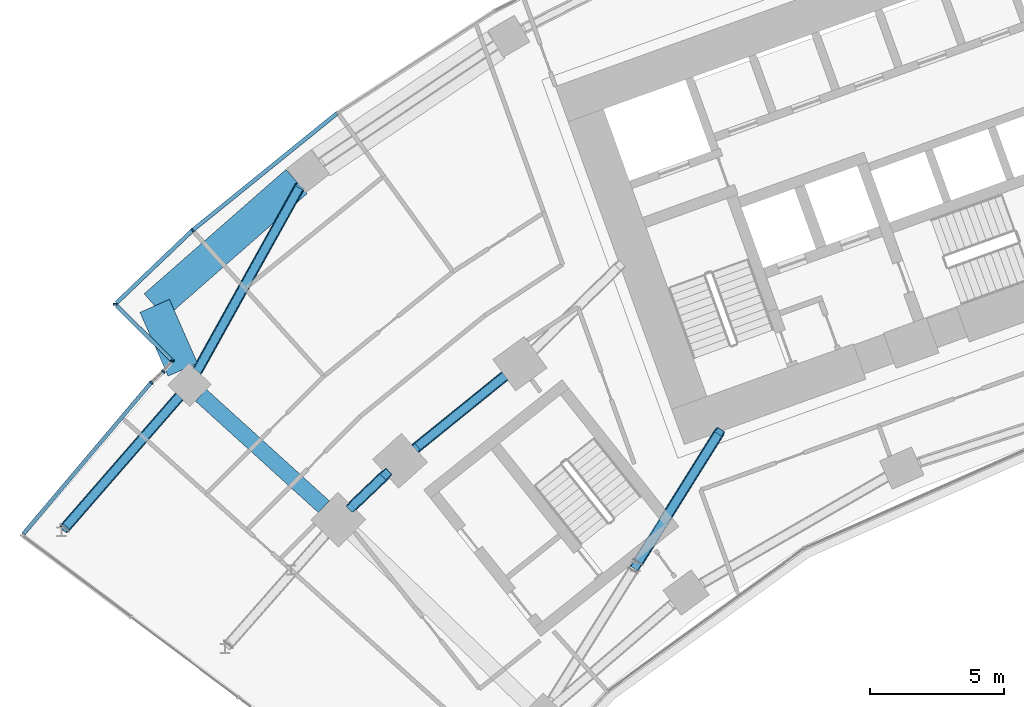
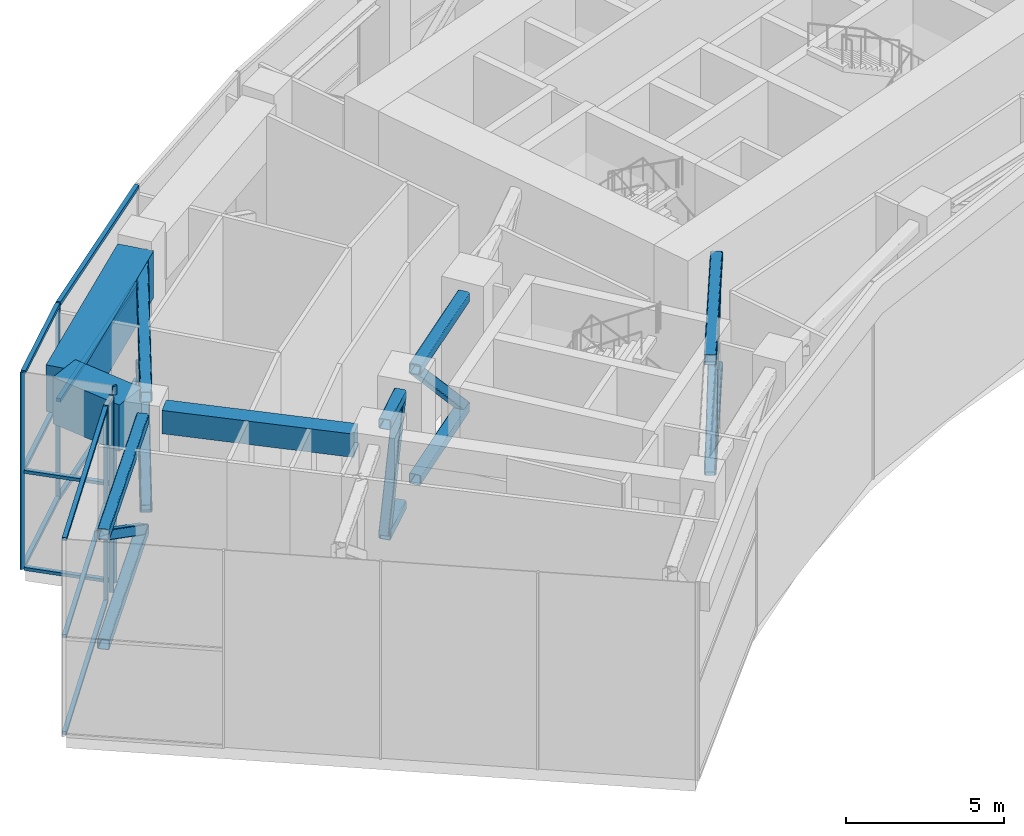
# One storey, part 4 of 30: 31 members, 3 beams, 5 elements without a shape of their own.
"""IFC4 building model written with IfcOpenShell, lengths in metres."""

from ifc_helpers import new_model, si_unit, direction, frame, origin, origin_2d, place, context, subcontext, project, spatial, rectangle, hollow_rectangle, extrude, material, layer, layer_set, material_profile, profile_set, type_object, element, aggregate, save


model = new_model("IFC4")

# Units and contexts
model_context = context("Model", 3, precision=1e-05, world=origin(), true_north=direction((0.0, 1.0)))
body_context = subcontext(model_context, "Body", "Model", "MODEL_VIEW")
ifc_project = project(units=[si_unit("LENGTHUNIT", "METRE"), si_unit("AREAUNIT", "SQUARE_METRE"), si_unit("VOLUMEUNIT", "CUBIC_METRE"), si_unit("PLANEANGLEUNIT", "RADIAN"), si_unit("MASSUNIT", "GRAM", prefix="KILO")], contexts=[model_context])

# Site, building, storey
site_placement = place(None, origin())
site = spatial("IfcSite", under=ifc_project, at=site_placement, CompositionType="ELEMENT")
building_placement = place(site_placement, origin())
building = spatial("IfcBuilding", under=site, at=building_placement, Name="Stone Belt Terrace Tower", CompositionType="ELEMENT")
storey_placement = place(building_placement, frame((0.0, 0.0, 136.39990234375)))
storey = spatial("IfcBuildingStorey", under=building, at=storey_placement, Name="L33", CompositionType="ELEMENT", Elevation=136.39990234375)

# Curtain wall, members
ifc_material_1 = material(Name="Aluminium 6063-T6 anodised frame", Category="aluminium")
ifc_layer_1 = layer(ifc_material_1, 0.14990234375)
ifc_layer_set_1 = layer_set([ifc_layer_1], Name="CW-A unitised convex-face curtain wall")
curtain_wall_type_1 = type_object("IfcCurtainWallType", Name="CW-A unitised convex-face curtain wall", PredefinedType="NOTDEFINED", material=ifc_layer_set_1)
curtain_wall_1_placement = place(storey_placement, origin())
curtain_wall_1 = element("IfcCurtainWall", 1, at=curtain_wall_1_placement, inside=storey, type_object=curtain_wall_type_1, Name="CW-A convex face L33", PredefinedType="NOTDEFINED")
ifc_material_profile_1 = material_profile(ifc_material_1, rectangle(XDim=0.14990234375, YDim=0.06005859375, at=origin_2d()), Name="Aluminium 6063-T6 60x150")
ifc_profile_set_1 = profile_set([ifc_material_profile_1], Name="Aluminium 6063-T6 anodised frame")
member_type_1 = type_object("IfcMemberType", Name="CW-A mullion 60 x 150", PredefinedType="MULLION", material=ifc_profile_set_1)
member_1_placement = place(storey_placement, frame((-44.546875, 49.4755859375, 0.0), z_axis=(0.0, 0.0, 1.0), x_axis=(0.660573481499, -0.75076139721, 0.0)))
member_1 = element("IfcMember", 2, at=member_1_placement, type_object=member_type_1, Name="CW-A mullion 17", PredefinedType="MULLION", context=body_context, shape_type="SweptSolid", body=[
    extrude(rectangle(XDim=0.14990234375, YDim=0.06005859375, at=origin_2d()), origin(), (0.0, 0.0, 1.0), 7.60009765625),
])
ifc_material_profile_2 = material_profile(ifc_material_1, rectangle(XDim=0.14990234375, YDim=0.139892578125, at=origin_2d()), Name="Aluminium 6063-T6 150x140")
ifc_profile_set_2 = profile_set([ifc_material_profile_2], Name="Aluminium 6063-T6 anodised frame")
member_type_2 = type_object("IfcMemberType", Name="CW-A transom 140 x 150", PredefinedType="USERDEFINED", material=ifc_profile_set_2)
member_2_placement = place(storey_placement, frame((-39.158203125, 53.839111328125, 0.070068359375), z_axis=(-0.777141048626, -0.629326457842, 0.0), x_axis=(0.629326457842, -0.777141048626, 0.0)))
member_2 = element("IfcMember", 3, at=member_2_placement, type_object=member_type_2, Name="CW-A transom 16.1", ObjectType="TRANSOM", PredefinedType="USERDEFINED", context=body_context, shape_type="SweptSolid", body=[
    extrude(rectangle(XDim=0.14990234375, YDim=0.139892578125, at=origin_2d()), origin(), (0.0, 0.0, 1.0), 6.900634765625),
])
member_3_placement = place(storey_placement, frame((-39.158203125, 53.839111328125, 3.800048828125), z_axis=(-0.777141048626, -0.629326457842, 0.0), x_axis=(0.629326457842, -0.777141048626, 0.0)))
member_3 = element("IfcMember", 4, at=member_3_placement, type_object=member_type_2, Name="CW-A transom 16.2", ObjectType="TRANSOM", PredefinedType="USERDEFINED", context=body_context, shape_type="SweptSolid", body=[
    extrude(rectangle(XDim=0.14990234375, YDim=0.139892578125, at=origin_2d()), origin(), (0.0, 0.0, 1.0), 6.900634765625),
])
member_4_placement = place(storey_placement, frame((-39.158203125, 53.839111328125, 7.530029296875), z_axis=(-0.777141048626, -0.629326457842, 0.0), x_axis=(0.629326457842, -0.777141048626, 0.0)))
member_4 = element("IfcMember", 5, at=member_4_placement, type_object=member_type_2, Name="CW-A transom 16.3", ObjectType="TRANSOM", PredefinedType="USERDEFINED", context=body_context, shape_type="SweptSolid", body=[
    extrude(rectangle(XDim=0.14990234375, YDim=0.139892578125, at=origin_2d()), origin(), (0.0, 0.0, 1.0), 6.900634765625),
])
member_5_placement = place(storey_placement, frame((-44.570556640625, 49.45263671875, 0.070068359375), z_axis=(-0.723150258233, -0.690690744124, 0.0), x_axis=(0.690690744124, -0.723150258233, 0.0)))
member_5 = element("IfcMember", 6, at=member_5_placement, type_object=member_type_2, Name="CW-A transom 17.1", ObjectType="TRANSOM", PredefinedType="USERDEFINED", context=body_context, shape_type="SweptSolid", body=[
    extrude(rectangle(XDim=0.14990234375, YDim=0.139892578125, at=origin_2d()), origin(), (0.0, 0.0, 1.0), 3.888671875),
])
member_6_placement = place(storey_placement, frame((-44.570556640625, 49.45263671875, 3.800048828125), z_axis=(-0.723150258233, -0.690690744124, 0.0), x_axis=(0.690690744124, -0.723150258233, 0.0)))
member_6 = element("IfcMember", 7, at=member_6_placement, type_object=member_type_2, Name="CW-A transom 17.2", ObjectType="TRANSOM", PredefinedType="USERDEFINED", context=body_context, shape_type="SweptSolid", body=[
    extrude(rectangle(XDim=0.14990234375, YDim=0.139892578125, at=origin_2d()), origin(), (0.0, 0.0, 1.0), 3.888671875),
])
member_7_placement = place(storey_placement, frame((-44.570556640625, 49.45263671875, 7.530029296875), z_axis=(-0.723150258233, -0.690690744124, 0.0), x_axis=(0.690690744124, -0.723150258233, 0.0)))
member_7 = element("IfcMember", 8, at=member_7_placement, type_object=member_type_2, Name="CW-A transom 17.3", ObjectType="TRANSOM", PredefinedType="USERDEFINED", context=body_context, shape_type="SweptSolid", body=[
    extrude(rectangle(XDim=0.14990234375, YDim=0.139892578125, at=origin_2d()), origin(), (0.0, 0.0, 1.0), 3.888671875),
])
aggregate(curtain_wall_1, [member_1, member_2, member_3, member_4, member_5, member_6, member_7])

# Curtain wall, member
ifc_layer_2 = layer(ifc_material_1, 0.14990234375)
ifc_layer_set_2 = layer_set([ifc_layer_2], Name="CW-C stick curtain wall, horn ends and notches")
curtain_wall_type_2 = type_object("IfcCurtainWallType", Name="CW-C stick curtain wall, horn ends and notches", PredefinedType="NOTDEFINED", material=ifc_layer_set_2)
curtain_wall_2_placement = place(storey_placement, origin())
curtain_wall_2 = element("IfcCurtainWall", 9, at=curtain_wall_2_placement, inside=storey, type_object=curtain_wall_type_2, Name="CW-C notch face L33", PredefinedType="NOTDEFINED")
ifc_material_profile_3 = material_profile(ifc_material_1, rectangle(XDim=0.14990234375, YDim=0.06005859375, at=origin_2d()), Name="Aluminium 6063-T6 60x150")
ifc_profile_set_3 = profile_set([ifc_material_profile_3], Name="Aluminium 6063-T6 anodised frame")
member_type_3 = type_object("IfcMemberType", Name="CW-C mullion 60 x 150", PredefinedType="MULLION", material=ifc_profile_set_3)
member_8_placement = place(storey_placement, frame((-47.4365234375, 46.715087890625, 0.0), z_axis=(0.0, 0.0, 1.0), x_axis=(0.999966480105, -0.008187714406, 0.0)))
member_8 = element("IfcMember", 10, at=member_8_placement, type_object=member_type_3, Name="CW-C mullion 1", PredefinedType="MULLION", context=body_context, shape_type="SweptSolid", body=[
    extrude(rectangle(XDim=0.14990234375, YDim=0.06005859375, at=origin_2d()), origin(), (0.0, 0.0, 1.0), 7.60009765625),
])

curtain_wall_3_placement = place(storey_placement, origin())
curtain_wall_3 = element("IfcCurtainWall", 11, at=curtain_wall_3_placement, inside=storey, type_object=curtain_wall_type_2, Name="CW-C end face L33", PredefinedType="NOTDEFINED")
member_9_placement = place(storey_placement, frame((-45.29638671875, 44.602783203125, 0.0), z_axis=(0.0, 0.0, 1.0), x_axis=(0.999185209744, 0.040359839301, 0.0)))
member_9 = element("IfcMember", 12, at=member_9_placement, type_object=member_type_3, Name="CW-C mullion 1", PredefinedType="MULLION", context=body_context, shape_type="SweptSolid", body=[
    extrude(rectangle(XDim=0.14990234375, YDim=0.06005859375, at=origin_2d()), origin(), (0.0, 0.0, 1.0), 7.60009765625),
])
aggregate(curtain_wall_3, [member_9])

curtain_wall_4_placement = place(storey_placement, origin())
curtain_wall_4 = element("IfcCurtainWall", 13, at=curtain_wall_4_placement, inside=storey, type_object=curtain_wall_type_2, Name="CW-C end face L33", PredefinedType="NOTDEFINED")
member_10_placement = place(storey_placement, frame((-45.6416015625, 44.201904296875, 0.0), z_axis=(0.0, 0.0, 1.0), x_axis=(0.718345898679, -0.695686114459, 0.0)))
member_10 = element("IfcMember", 14, at=member_10_placement, type_object=member_type_3, Name="CW-C mullion 1", PredefinedType="MULLION", context=body_context, shape_type="SweptSolid", body=[
    extrude(rectangle(XDim=0.14990234375, YDim=0.06005859375, at=origin_2d()), origin(), (0.0, 0.0, 1.0), 7.60009765625),
])
aggregate(curtain_wall_4, [member_10])

curtain_wall_5_placement = place(storey_placement, origin())
curtain_wall_5 = element("IfcCurtainWall", 15, at=curtain_wall_5_placement, inside=storey, type_object=curtain_wall_type_2, Name="CW-C notch face L33", PredefinedType="NOTDEFINED")
member_11_placement = place(storey_placement, frame((-46.086181640625, 43.79345703125, 0.0), z_axis=(0.0, 0.0, 1.0), x_axis=(0.721637914519, -0.692270698736, 0.0)))
member_11 = element("IfcMember", 16, at=member_11_placement, type_object=member_type_3, Name="CW-C mullion 1", PredefinedType="MULLION", context=body_context, shape_type="SweptSolid", body=[
    extrude(rectangle(XDim=0.14990234375, YDim=0.06005859375, at=origin_2d()), origin(), (0.0, 0.0, 1.0), 7.60009765625),
])

# Member
ifc_material_profile_4 = material_profile(ifc_material_1, rectangle(XDim=0.14990234375, YDim=0.1201171875, at=origin_2d()), Name="Aluminium 6063-T6 150x120")
ifc_profile_set_4 = profile_set([ifc_material_profile_4], Name="Aluminium 6063-T6 anodised frame")
member_type_4 = type_object("IfcMemberType", Name="CW-C transom 120 x 150", PredefinedType="USERDEFINED", material=ifc_profile_set_4)
member_12_placement = place(storey_placement, frame((-47.383544921875, 46.66259765625, 0.06005859375), z_axis=(0.711744791626, -0.702438147877, 0.0), x_axis=(0.702438147877, 0.711744791626, 0.0)))
member_12 = element("IfcMember", 17, at=member_12_placement, type_object=member_type_4, Name="CW-C transom 1.1", ObjectType="TRANSOM", PredefinedType="USERDEFINED", context=body_context, shape_type="SweptSolid", body=[
    extrude(rectangle(XDim=0.14990234375, YDim=0.1201171875, at=origin_2d()), origin(), (0.0, 0.0, 1.0), 2.859375),
])

member_13_placement = place(storey_placement, frame((-47.383544921875, 46.66259765625, 3.800048828125), z_axis=(0.711744791626, -0.702438147877, 0.0), x_axis=(0.702438147877, 0.711744791626, 0.0)))
member_13 = element("IfcMember", 18, at=member_13_placement, type_object=member_type_4, Name="CW-C transom 1.2", ObjectType="TRANSOM", PredefinedType="USERDEFINED", context=body_context, shape_type="SweptSolid", body=[
    extrude(rectangle(XDim=0.14990234375, YDim=0.1201171875, at=origin_2d()), origin(), (0.0, 0.0, 1.0), 2.859375),
])

aggregate(curtain_wall_2, [member_8, member_12, member_13])

member_14_placement = place(storey_placement, frame((-46.108642578125, 43.766845703125, 0.06005859375), z_axis=(-0.645513842634, -0.763748570517, 0.0), x_axis=(0.763748570517, -0.645513842634, 0.0)))
member_14 = element("IfcMember", 19, at=member_14_placement, type_object=member_type_4, Name="CW-C transom 1.1", ObjectType="TRANSOM", PredefinedType="USERDEFINED", context=body_context, shape_type="SweptSolid", body=[
    extrude(rectangle(XDim=0.14990234375, YDim=0.1201171875, at=origin_2d()), origin(), (0.0, 0.0, 1.0), 7.359130859375),
])

member_15_placement = place(storey_placement, frame((-46.108642578125, 43.766845703125, 3.800048828125), z_axis=(-0.645513842634, -0.763748570517, 0.0), x_axis=(0.763748570517, -0.645513842634, 0.0)))
member_15 = element("IfcMember", 20, at=member_15_placement, type_object=member_type_4, Name="CW-C transom 1.2", ObjectType="TRANSOM", PredefinedType="USERDEFINED", context=body_context, shape_type="SweptSolid", body=[
    extrude(rectangle(XDim=0.14990234375, YDim=0.1201171875, at=origin_2d()), origin(), (0.0, 0.0, 1.0), 7.359130859375),
])

member_16_placement = place(storey_placement, frame((-46.108642578125, 43.766845703125, 7.5400390625), z_axis=(-0.645513842634, -0.763748570517, 0.0), x_axis=(0.763748570517, -0.645513842634, 0.0)))
member_16 = element("IfcMember", 21, at=member_16_placement, type_object=member_type_4, Name="CW-C transom 1.3", ObjectType="TRANSOM", PredefinedType="USERDEFINED", context=body_context, shape_type="SweptSolid", body=[
    extrude(rectangle(XDim=0.14990234375, YDim=0.1201171875, at=origin_2d()), origin(), (0.0, 0.0, 1.0), 7.359130859375),
])

aggregate(curtain_wall_5, [member_11, member_14, member_15, member_16])

# Beam
ifc_material_2 = material(Name="Concrete B60", Category="concrete")
ifc_material_profile_5 = material_profile(ifc_material_2, rectangle(XDim=0.60009765625, YDim=0.89990234375, at=origin_2d()), Name="RC 600x900")
ifc_profile_set_5 = profile_set([ifc_material_profile_5], Name="Concrete B60")
beam_type_1 = type_object("IfcBeamType", Name="Edge beam RC 600x900 B60", PredefinedType="SPANDREL", material=ifc_profile_set_5)
beam_1_placement = place(storey_placement, frame((-39.645751953125, 39.159912109375, 6.800048828125), z_axis=(-0.740792015058, 0.671734464224, 0.0), x_axis=(-0.671734464224, -0.740792015058, 0.0)))
element("IfcBeam", 22, at=beam_1_placement, inside=storey, type_object=beam_type_1, Name="Edge beam L33 A Q to R", PredefinedType="SPANDREL", context=body_context, shape_type="SweptSolid", body=[
    extrude(rectangle(XDim=0.60009765625, YDim=0.89990234375, at=origin_2d()), origin(), (0.0, 0.0, 1.0), 6.19384765625),
])

# Members
ifc_material_3 = material(Name="Structural steel C345", Category="steel")
ifc_material_profile_6 = material_profile(ifc_material_3, hollow_rectangle(XDim=0.39990234375, YDim=0.39990234375, WallThickness=0.02001953125, InnerFilletRadius=0.0400390625, OuterFilletRadius=0.06005859375, at=origin_2d()), Name="SHS 400x400x20")
ifc_profile_set_6 = profile_set([ifc_material_profile_6], Name="Structural steel C345")
member_type_5 = type_object("IfcMemberType", Name="Outrigger chord SHS 400x400x20", PredefinedType="CHORD", material=ifc_profile_set_6)
for number, where, z_axis, x_axis, name in (
    (23, (-38.58349609375, 39.173095703125, 7.050048828125), (0.723428931784, 0.690398856212, 0.0), (-0.690398856212, 0.723428931784, 0.0), "Outrigger T2 Qw top chord 2"),
    (24, (-38.58349609375, 39.173095703125, 2.800048828125), (0.723428931784, 0.690398856212, 0.0), (-0.690398856212, 0.723428931784, 0.0), "Outrigger T2 Qw bot chord 2"),
):
    element("IfcMember", number, at=place(storey_placement, frame(where, z_axis=z_axis, x_axis=x_axis)), inside=storey, type_object=member_type_5, Name=name, PredefinedType="CHORD", context=body_context, shape_type="SweptSolid", body=[
        extrude(hollow_rectangle(XDim=0.39990234375, YDim=0.39990234375, WallThickness=0.02001953125, InnerFilletRadius=0.0400390625, OuterFilletRadius=0.06005859375, at=origin_2d()), origin(), (0.0, 0.0, 1.0), 1.737060546875),
    ])
for number, where, z_axis, x_axis, name in (
    (25, (-36.238037109375, 41.329833984375, 7.050048828125), (0.777153738144, 0.62931078752, 0.0), (-0.62931078752, 0.777153738144, 0.0), "Outrigger T2 Qw top chord 3"),
    (26, (-36.238037109375, 41.329833984375, 2.800048828125), (0.777153738144, 0.62931078752, 0.0), (-0.62931078752, 0.777153738144, 0.0), "Outrigger T2 Qw bot chord 3"),
):
    element("IfcMember", number, at=place(storey_placement, frame(where, z_axis=z_axis, x_axis=x_axis)), inside=storey, type_object=member_type_5, Name=name, PredefinedType="CHORD", context=body_context, shape_type="SweptSolid", body=[
        extrude(hollow_rectangle(XDim=0.39990234375, YDim=0.39990234375, WallThickness=0.02001953125, InnerFilletRadius=0.0400390625, OuterFilletRadius=0.06005859375, at=origin_2d()), origin(), (0.0, 0.0, 1.0), 4.30517578125),
    ])
for number, where, z_axis, x_axis, name in (
    (27, (-49.3046875, 38.373291015625, 7.050048828125), (0.656661476494, 0.754185458152, 0.0), (-0.754185458152, 0.656661476494, 0.0), "Outrigger T2 Rw top chord 1"),
    (28, (-49.3046875, 38.373291015625, 2.800048828125), (0.656661476494, 0.754185458152, 0.0), (-0.754185458152, 0.656661476494, 0.0), "Outrigger T2 Rw bot chord 1"),
):
    element("IfcMember", number, at=place(storey_placement, frame(where, z_axis=z_axis, x_axis=x_axis)), inside=storey, type_object=member_type_5, Name=name, PredefinedType="CHORD", context=body_context, shape_type="SweptSolid", body=[
        extrude(hollow_rectangle(XDim=0.39990234375, YDim=0.39990234375, WallThickness=0.02001953125, InnerFilletRadius=0.0400390625, OuterFilletRadius=0.06005859375, at=origin_2d()), origin(), (0.0, 0.0, 1.0), 6.496337890625),
    ])
for number, where, z_axis, x_axis, name in (
    (29, (-44.37060546875, 44.22802734375, 7.050048828125), (0.485873967142, 0.874028882848, 0.0), (-0.874028882848, 0.485873967142, 0.0), "Outrigger T2 Rw top chord 2"),
    (30, (-44.37060546875, 44.22802734375, 2.800048828125), (0.485873967142, 0.874028882848, 0.0), (-0.874028882848, 0.485873967142, 0.0), "Outrigger T2 Rw bot chord 2"),
):
    element("IfcMember", number, at=place(storey_placement, frame(where, z_axis=z_axis, x_axis=x_axis)), inside=storey, type_object=member_type_5, Name=name, PredefinedType="CHORD", context=body_context, shape_type="SweptSolid", body=[
        extrude(hollow_rectangle(XDim=0.39990234375, YDim=0.39990234375, WallThickness=0.02001953125, InnerFilletRadius=0.0400390625, OuterFilletRadius=0.06005859375, at=origin_2d()), origin(), (0.0, 0.0, 1.0), 7.89501953125),
    ])
for number, where, z_axis, x_axis, name in (
    (31, (-27.912109375, 37.098876953125, 7.050048828125), (0.530052589105, 0.847964770956, 0.0), (-0.847964770956, 0.530052589105, 0.0), "Outrigger T2 coreA-horn-P top chord 2"),
    (32, (-27.912109375, 37.098876953125, 2.800048828125), (0.530052589105, 0.847964770956, 0.0), (-0.847964770956, 0.530052589105, 0.0), "Outrigger T2 coreA-horn-P bot chord 2"),
):
    element("IfcMember", number, at=place(storey_placement, frame(where, z_axis=z_axis, x_axis=x_axis)), inside=storey, type_object=member_type_5, Name=name, PredefinedType="CHORD", context=body_context, shape_type="SweptSolid", body=[
        extrude(hollow_rectangle(XDim=0.39990234375, YDim=0.39990234375, WallThickness=0.02001953125, InnerFilletRadius=0.0400390625, OuterFilletRadius=0.06005859375, at=origin_2d()), origin(), (0.0, 0.0, 1.0), 5.7265625),
    ])
ifc_material_profile_7 = material_profile(ifc_material_3, hollow_rectangle(XDim=0.35009765625, YDim=0.35009765625, WallThickness=0.01611328125, InnerFilletRadius=0.031982421875, OuterFilletRadius=0.048095703125, at=origin_2d()), Name="SHS 350x350x16")
ifc_profile_set_7 = profile_set([ifc_material_profile_7], Name="Structural steel C345")
member_type_6 = type_object("IfcMemberType", Name="Outrigger diagonal SHS 350x350x16", PredefinedType="BRACE", material=ifc_profile_set_7)
member_17_placement = place(storey_placement, frame((-38.58349609375, 39.173095703125, 2.800048828125), z_axis=(0.273692273585, 0.261196123538, 0.925672255406), x_axis=(-0.690398856212, 0.723428931784, 0.0)))
element("IfcMember", 33, at=member_17_placement, inside=storey, type_object=member_type_6, Name="Outrigger T2 Qw diagonal 2", PredefinedType="BRACE", context=body_context, shape_type="SweptSolid", body=[
    extrude(hollow_rectangle(XDim=0.35009765625, YDim=0.35009765625, WallThickness=0.01611328125, InnerFilletRadius=0.031982421875, OuterFilletRadius=0.048095703125, at=origin_2d()), origin(), (0.0, 0.0, 1.0), 4.59130859375),
])
member_18_placement = place(storey_placement, frame((-36.238037109375, 41.329833984375, 7.050048828125), z_axis=(0.553056767666, 0.44784522408, -0.702540295646), x_axis=(-0.62931078752, 0.777153738144, 0.0)))
element("IfcMember", 34, at=member_18_placement, inside=storey, type_object=member_type_6, Name="Outrigger T2 Qw diagonal 3", PredefinedType="BRACE", context=body_context, shape_type="SweptSolid", body=[
    extrude(hollow_rectangle(XDim=0.35009765625, YDim=0.35009765625, WallThickness=0.01611328125, InnerFilletRadius=0.031982421875, OuterFilletRadius=0.048095703125, at=origin_2d()), origin(), (0.0, 0.0, 1.0), 6.049560546875),
])
member_19_placement = place(storey_placement, frame((-49.31787109375, 38.3583984375, 7.050048828125), z_axis=(0.550030395916, 0.631686075164, -0.546295950939), x_axis=(-0.754168982157, 0.65668039894, 0.0)))
element("IfcMember", 35, at=member_19_placement, inside=storey, type_object=member_type_6, Name="Outrigger T2 Rw diagonal 1", PredefinedType="BRACE", context=body_context, shape_type="SweptSolid", body=[
    extrude(hollow_rectangle(XDim=0.35009765625, YDim=0.35009765625, WallThickness=0.01611328125, InnerFilletRadius=0.031982421875, OuterFilletRadius=0.048095703125, at=origin_2d()), origin(), (0.0, 0.0, 1.0), 7.77978515625),
])
member_20_placement = place(storey_placement, frame((-44.37060546875, 44.22802734375, 2.800048828125), z_axis=(0.427823144903, 0.769602429197, 0.474003647306), x_axis=(-0.874028882848, 0.485873967142, 0.0)))
element("IfcMember", 36, at=member_20_placement, inside=storey, type_object=member_type_6, Name="Outrigger T2 Rw diagonal 2", PredefinedType="BRACE", context=body_context, shape_type="SweptSolid", body=[
    extrude(hollow_rectangle(XDim=0.35009765625, YDim=0.35009765625, WallThickness=0.01611328125, InnerFilletRadius=0.031982421875, OuterFilletRadius=0.048095703125, at=origin_2d()), origin(), (0.0, 0.0, 1.0), 8.966064453125),
])
member_21_placement = place(storey_placement, frame((-28.015380859375, 36.933349609375, 2.800048828125), z_axis=(0.430605748531, 0.688915606392, 0.583072874177), x_axis=(-0.847979773999, 0.53002858686, 0.0)))
element("IfcMember", 37, at=member_21_placement, inside=storey, type_object=member_type_6, Name="Outrigger T2 coreA-horn-P diagonal 2", PredefinedType="BRACE", context=body_context, shape_type="SweptSolid", body=[
    extrude(hollow_rectangle(XDim=0.35009765625, YDim=0.35009765625, WallThickness=0.01611328125, InnerFilletRadius=0.031982421875, OuterFilletRadius=0.048095703125, at=origin_2d()), origin(), (0.0, 0.0, 1.0), 7.2890625),
])

# Beams
ifc_material_4 = material(Name="Concrete B80", Category="concrete")
ifc_material_profile_8 = material_profile(ifc_material_4, rectangle(XDim=1.199951171875, YDim=1.800048828125, at=origin_2d()), Name="RC 1200x1800")
ifc_profile_set_8 = profile_set([ifc_material_profile_8], Name="Concrete B80")
beam_type_2 = type_object("IfcBeamType", Name="Transfer girder RC 1200x1800 B80", PredefinedType="BEAM", material=ifc_profile_set_8)
beam_2_placement = place(storey_placement, frame((-44.91015625, 44.27392578125, 6.35009765625), z_axis=(-0.403053149009, 0.915176572621, 0.0), x_axis=(-0.915176572621, -0.403053149009, 0.0)))
element("IfcBeam", 38, at=beam_2_placement, inside=storey, type_object=beam_type_2, Name="Transfer beam L33 RRA-RNA", PredefinedType="BEAM", context=body_context, shape_type="SweptSolid", body=[
    extrude(rectangle(XDim=1.199951171875, YDim=1.800048828125, at=origin_2d()), origin(), (0.0, 0.0, 1.0), 2.60107421875),
])
beam_3_placement = place(storey_placement, frame((-45.95849609375, 46.654296875, 6.35009765625), z_axis=(0.751998535867, 0.659164776102, 0.0), x_axis=(-0.659164776102, 0.751998535867, 0.0)))
element("IfcBeam", 39, at=beam_3_placement, inside=storey, type_object=beam_type_2, Name="Transfer beam L33 RRNA-RNA", PredefinedType="BEAM", context=body_context, shape_type="SweptSolid", body=[
    extrude(rectangle(XDim=1.199951171875, YDim=1.800048828125, at=origin_2d()), origin(), (0.0, 0.0, 1.0), 7.0400390625),
])

save(model, "model.ifc")
